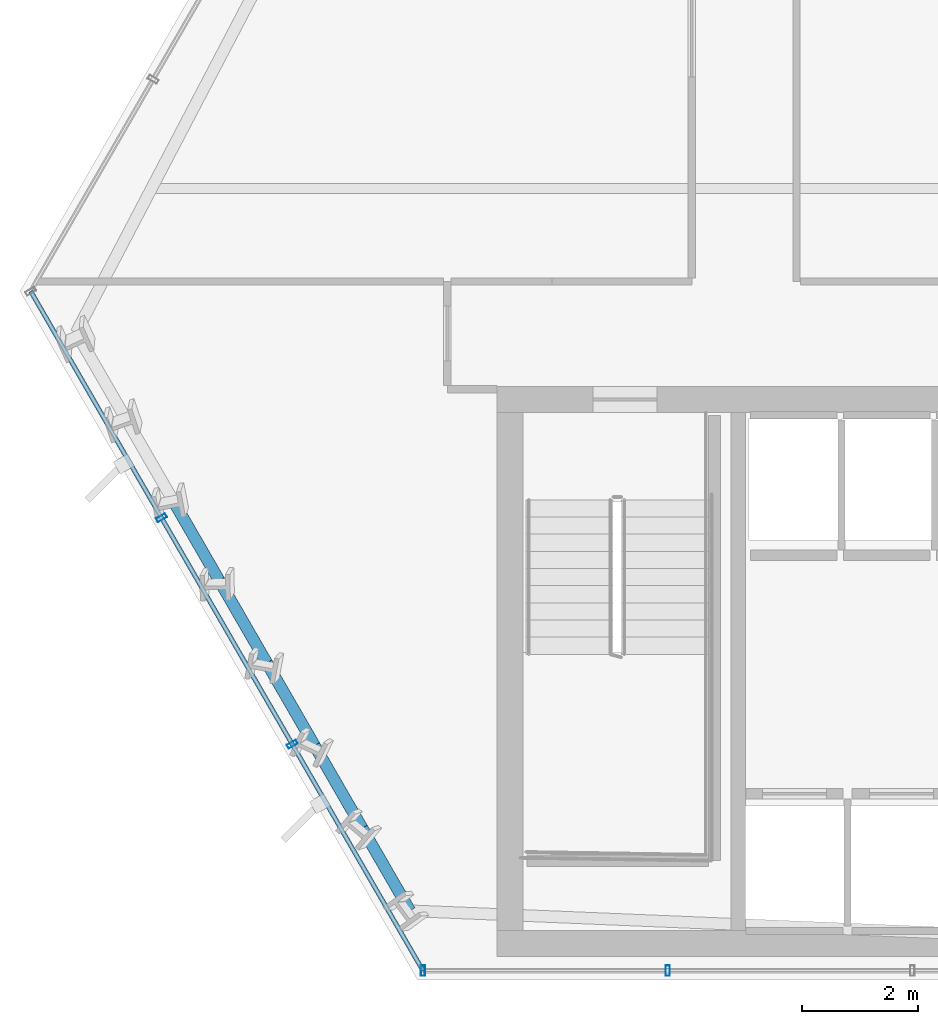
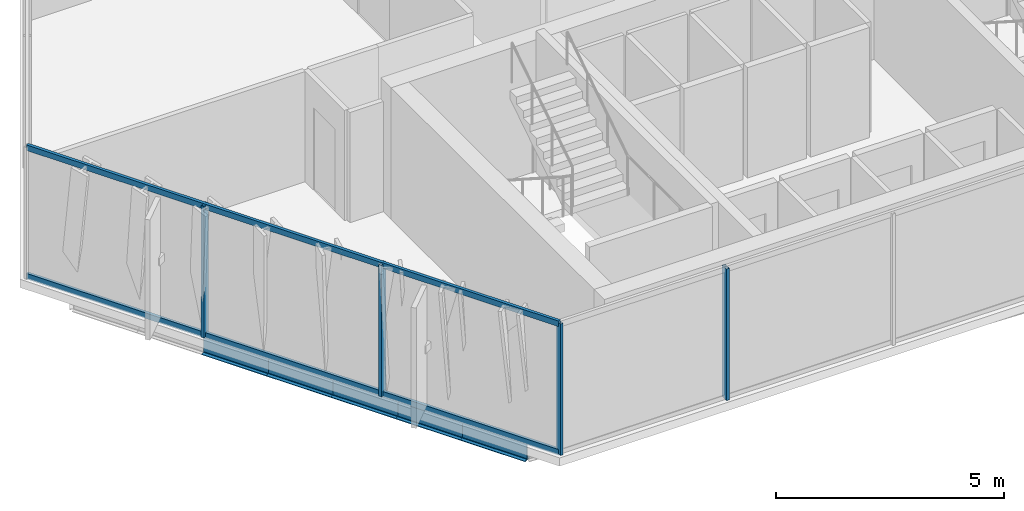
# One storey, part 2 of 31: 6 members, 5 beams, 2 elements without a shape of their own.
"""IFC4 building model written with IfcOpenShell, lengths in metres."""

import ifcopenshell
import ifcopenshell.guid

model = None  # the IFC model being written
_history = None  # IfcOwnerHistory: only IFC2X3 demands one
_inside = {}  # id of a spatial element -> (the spatial element, [elements in it])
_under = {}  # id of a project, library or spatial element -> (it, [spatial elements below it])
_declared = {}  # id of a project -> (the project, [libraries it declares])
_typed = {}  # id of a type object -> (the type object, [elements of that type])
_made_of = {}  # id of a material, layer set ... -> (it, [elements and type objects made of it])


def new_model(schema):
    """Start an empty IFC model of exactly this schema.

    Asked for "IFC4X3", IfcOpenShell would pick the latest addendum, in which some entities
    have other attributes; the version numbers below select the first issue.
    IFC2X3 requires an IfcOwnerHistory on every rooted entity: one is made here for all.
    """
    global model, _history
    if schema == "IFC4X3":
        model = ifcopenshell.file(schema_version=(4, 3, 0, 0))
    else:
        model = ifcopenshell.file(schema=schema)
    _inside.clear()
    _under.clear()
    _declared.clear()
    _typed.clear()
    _made_of.clear()
    _history = None
    if model.schema == "IFC2X3":
        org = make("IfcOrganization", Name="unknown")
        user = make(
            "IfcPersonAndOrganization",
            ThePerson=make("IfcPerson", FamilyName="unknown"),
            TheOrganization=org,
        )
        app = make(
            "IfcApplication",
            ApplicationDeveloper=org,
            Version="unknown",
            ApplicationFullName="unknown",
            ApplicationIdentifier="unknown",
        )
        _history = make(
            "IfcOwnerHistory",
            OwningUser=user,
            OwningApplication=app,
            ChangeAction="ADDED",
            CreationDate=0,
        )
    return model


def make(cls, **values):
    """One entity of the class cls with the attributes given. An attribute that is None is left unset."""
    return model.create_entity(
        cls, **{name: value for name, value in values.items() if value is not None}
    )


def rooted(cls, **values):
    """An entity with a GlobalId (a new one), such as an element, a storey or a relation."""
    return make(cls, GlobalId=ifcopenshell.guid.new(), OwnerHistory=_history, **values)


def si_unit(unit_type, name, prefix=None):
    """IfcSIUnit, for example si_unit("LENGTHUNIT", "METRE", prefix="MILLI")."""
    return make("IfcSIUnit", UnitType=unit_type, Prefix=prefix, Name=name)


def assignment(units):
    """IfcUnitAssignment: the units of a project."""
    return None if units is None else make("IfcUnitAssignment", Units=units)


def point(xyz):
    """IfcCartesianPoint."""
    return None if xyz is None else make("IfcCartesianPoint", Coordinates=xyz)


def direction(xyz):
    """IfcDirection."""
    return None if xyz is None else make("IfcDirection", DirectionRatios=xyz)


def frame(location, z_axis=None, x_axis=None):
    """IfcAxis2Placement3D, a coordinate frame: its origin and axes. An axis left out is left unset."""
    return make(
        "IfcAxis2Placement3D",
        Location=point(location),
        Axis=direction(z_axis),
        RefDirection=direction(x_axis),
    )


def frame_2d(location, x_axis=None):
    """IfcAxis2Placement2D, a coordinate frame in the plane: its origin and x axis."""
    return make(
        "IfcAxis2Placement2D", Location=point(location), RefDirection=direction(x_axis)
    )


def origin():
    """The frame at (0, 0, 0) with its axes left unset."""
    return frame((0.0, 0.0, 0.0))


def origin_2d():
    """The frame at (0, 0) in the plane with its x axis left unset."""
    return frame_2d((0.0, 0.0))


def place(relative_to, where):
    """IfcLocalPlacement: puts the frame where relative to a parent placement (None: the world)."""
    return make(
        "IfcLocalPlacement", PlacementRelTo=relative_to, RelativePlacement=where
    )


def context(
    kind, dimensions, precision=None, world=None, true_north=None, identifier=None
):
    """IfcGeometricRepresentationContext, for example the 3D "Model" context."""
    return make(
        "IfcGeometricRepresentationContext",
        ContextIdentifier=identifier,
        ContextType=kind,
        CoordinateSpaceDimension=dimensions,
        Precision=precision,
        WorldCoordinateSystem=world,
        TrueNorth=true_north,
    )


def subcontext(parent, identifier, kind, view, scale=None):
    """IfcGeometricRepresentationSubContext, for example "Body" below "Model"."""
    return make(
        "IfcGeometricRepresentationSubContext",
        ContextIdentifier=identifier,
        ContextType=kind,
        ParentContext=parent,
        TargetScale=scale,
        TargetView=view,
    )


def project(units=None, contexts=None):
    """IfcProject with its units and contexts."""
    return rooted(
        "IfcProject",
        Name="project",
        RepresentationContexts=contexts,
        UnitsInContext=assignment(units),
    )


def spatial(cls, under=None, at=None, **own):
    """A site, building, storey or space (cls), placed at a placement, below another one or the project."""
    s = rooted(cls, ObjectPlacement=at, **own)
    if under is not None:
        _under.setdefault(under.id(), (under, []))[1].append(s)
    return s


def profile(cls, at=None, kind="AREA", **sizes):
    """A parametric profile (cls). Its sizes go by their IFC names, for example OverallWidth=200.0."""
    return make(cls, ProfileType=kind, Position=at, **sizes)


def hollow_rectangle(**sizes):
    """IfcRectangleHollowProfileDef."""
    return profile("IfcRectangleHollowProfileDef", **sizes)


def i_section(**sizes):
    """IfcIShapeProfileDef."""
    return profile("IfcIShapeProfileDef", **sizes)


def extrude(swept, where, along, depth):
    """IfcExtrudedAreaSolid: the profile swept, set in the frame where, extruded along a direction by depth."""
    return make(
        "IfcExtrudedAreaSolid",
        SweptArea=swept,
        Position=where,
        ExtrudedDirection=direction(along),
        Depth=depth,
    )


def shape(context_of_items, identifier, shape_type, items):
    """IfcShapeRepresentation: the items that make up one representation, for example the "Body"."""
    return make(
        "IfcShapeRepresentation",
        ContextOfItems=context_of_items,
        RepresentationIdentifier=identifier,
        RepresentationType=shape_type,
        Items=items,
    )


def material(Name=None, Category=None):
    """IfcMaterial."""
    return make("IfcMaterial", Name=Name, Category=Category)


def layer(
    of_material, thickness, ventilated=None, Name=None, Category=None, Priority=None
):
    """IfcMaterialLayer: one layer of a wall or slab, of a material (None: an air gap)."""
    return make(
        "IfcMaterialLayer",
        Material=of_material,
        LayerThickness=thickness,
        IsVentilated=ventilated,
        Name=Name,
        Category=Category,
        Priority=Priority,
    )


def layer_set(layers, Name=None):
    """IfcMaterialLayerSet."""
    return make("IfcMaterialLayerSet", MaterialLayers=layers, LayerSetName=Name)


def material_profile(
    of_material, cross_section, Name=None, Category=None, Priority=None
):
    """IfcMaterialProfile: a cross section and its material."""
    return make(
        "IfcMaterialProfile",
        Name=Name,
        Material=of_material,
        Profile=cross_section,
        Priority=Priority,
        Category=Category,
    )


def profile_set(profiles, Name=None, composite=None):
    """IfcMaterialProfileSet."""
    return make(
        "IfcMaterialProfileSet",
        Name=Name,
        MaterialProfiles=profiles,
        CompositeProfile=composite,
    )


def made_of(thing, what):
    """Note that an element or type object is made of a material, layer set ...; save() writes the relation."""
    if what is not None:
        _made_of.setdefault(what.id(), (what, []))[1].append(thing)
    return thing


def type_object(cls, material=None, **own):
    """A type object (cls), such as IfcWallType, which elements share."""
    return made_of(rooted(cls, **own), material)


def element(
    cls,
    number,
    at=None,
    inside=None,
    cuts=None,
    type_object=None,
    material=None,
    context=None,
    identifier="Body",
    shape_type=None,
    held_by="IfcProductDefinitionShape",
    body=None,
    shapes=None,
    **own,
):
    """One element of the class cls, such as IfcWall. Its Tag is "e" and its number.

    at: its placement. inside: the storey or other place that contains it. cuts: it is an
    opening in that element (IfcRelVoidsElement). A single representation is given by context,
    identifier, shape_type and body (its items); several are given by shapes. held_by: the class
    of the entity that holds the representations. save() writes the other relations.
    """
    e = rooted(cls, Tag="e%d" % number, ObjectPlacement=at, **own)
    if body is not None:
        shapes = [shape(context, identifier, shape_type, body)]
    if shapes is not None:
        e.Representation = make(held_by, Representations=shapes)
    if inside is not None:
        _inside.setdefault(inside.id(), (inside, []))[1].append(e)
    if cuts is not None:
        rooted(
            "IfcRelVoidsElement", RelatingBuildingElement=cuts, RelatedOpeningElement=e
        )
    if type_object is not None:
        _typed.setdefault(type_object.id(), (type_object, []))[1].append(e)
    return made_of(e, material)


def aggregate(whole, parts):
    """IfcRelAggregates: a whole, such as a stair, and the parts it consists of."""
    return rooted("IfcRelAggregates", RelatingObject=whole, RelatedObjects=parts)


def save(model, path):
    """Write the relations noted so far, then the file.

    IfcRelAggregates (storeys below a building ...), IfcRelContainedInSpatialStructure (elements
    in a storey), IfcRelDefinesByType, IfcRelAssociatesMaterial and IfcRelDeclares: one each for
    every whole, place, type object, material and project.
    """
    for whole, parts in _under.values():
        aggregate(whole, parts)
    for where, things in _inside.values():
        rooted(
            "IfcRelContainedInSpatialStructure",
            RelatedElements=things,
            RelatingStructure=where,
        )
    for kind, things in _typed.values():
        rooted("IfcRelDefinesByType", RelatedObjects=things, RelatingType=kind)
    for what, things in _made_of.values():
        rooted("IfcRelAssociatesMaterial", RelatedObjects=things, RelatingMaterial=what)
    for by, libraries in _declared.values():
        rooted("IfcRelDeclares", RelatingContext=by, RelatedDefinitions=libraries)
    model.write(path)


model = new_model("IFC4")

# Units and contexts
model_context = context("Model", 3, precision=1e-05, world=origin(), true_north=direction((0.0, 1.0)))
body_context = subcontext(model_context, "Body", "Model", "MODEL_VIEW")
ifc_project = project(units=[si_unit("LENGTHUNIT", "METRE"), si_unit("AREAUNIT", "SQUARE_METRE"), si_unit("VOLUMEUNIT", "CUBIC_METRE"), si_unit("PLANEANGLEUNIT", "RADIAN"), si_unit("MASSUNIT", "GRAM", prefix="KILO")], contexts=[model_context])

# Site, building, storey
site_placement = place(None, origin())
site = spatial("IfcSite", under=ifc_project, at=site_placement, CompositionType="ELEMENT")
building_placement = place(site_placement, origin())
building = spatial("IfcBuilding", under=site, at=building_placement, Name="Ndaravel Arena Tower", CompositionType="ELEMENT")
storey_placement = place(building_placement, frame((0.0, 0.0, 108.199951171875)))
storey = spatial("IfcBuildingStorey", under=building, at=storey_placement, Name="L25", CompositionType="ELEMENT", Elevation=108.199951171875)

# Beams
ifc_material_1 = material(Name="Steel S355", Category="steel")
ifc_material_profile_1 = material_profile(ifc_material_1, i_section(OverallWidth=0.199951171875, OverallDepth=0.5, WebThickness=0.01025390625, FlangeThickness=0.01611328125, FilletRadius=0.02099609375, at=origin_2d()), Name="IPE 500")
ifc_profile_set_1 = profile_set([ifc_material_profile_1], Name="Steel S355")
beam_type = type_object("IfcBeamType", Name="BM-SPAN-IPE500", PredefinedType="SPANDREL", material=ifc_profile_set_1)
beam_1_placement = place(storey_placement, frame((20.860595703125, 13.284912109375, -0.469970703125), z_axis=(0.499937439699, -0.866061519979, 0.0), x_axis=(0.866061519979, 0.499937439699, 0.0)))
element("IfcBeam", 1, at=beam_1_placement, inside=storey, type_object=beam_type, Name="L25 Perimeter Spandrel Beam SP-22", PredefinedType="SPANDREL", context=body_context, shape_type="SweptSolid", body=[
    extrude(i_section(OverallWidth=0.199951171875, OverallDepth=0.5, WebThickness=0.01025390625, FlangeThickness=0.01611328125, FilletRadius=0.02099609375, at=origin_2d()), origin(), (0.0, 0.0, 1.0), 1.638427734375),
])
beam_2_placement = place(storey_placement, frame((21.6796875, 11.865966796875, -0.469970703125), z_axis=(0.499984679161, -0.866034249094, 0.0), x_axis=(0.866034249094, 0.499984679161, 0.0)))
element("IfcBeam", 2, at=beam_2_placement, inside=storey, type_object=beam_type, Name="L25 Perimeter Spandrel Beam SP-23", PredefinedType="SPANDREL", context=body_context, shape_type="SweptSolid", body=[
    extrude(i_section(OverallWidth=0.199951171875, OverallDepth=0.5, WebThickness=0.01025390625, FlangeThickness=0.01611328125, FilletRadius=0.02099609375, at=origin_2d()), origin(), (0.0, 0.0, 1.0), 1.638671875),
])
beam_3_placement = place(storey_placement, frame((22.4990234375, 10.44677734375, -0.469970703125), z_axis=(0.500049196018, -0.865996998587, 0.0), x_axis=(0.865996998587, 0.500049196018, 0.0)))
element("IfcBeam", 3, at=beam_3_placement, inside=storey, type_object=beam_type, Name="L25 Perimeter Spandrel Beam SP-24", PredefinedType="SPANDREL", context=body_context, shape_type="SweptSolid", body=[
    extrude(i_section(OverallWidth=0.199951171875, OverallDepth=0.5, WebThickness=0.01025390625, FlangeThickness=0.01611328125, FilletRadius=0.02099609375, at=origin_2d()), origin(), (0.0, 0.0, 1.0), 1.638427734375),
])
beam_4_placement = place(storey_placement, frame((23.318359375, 9.02783203125, -0.469970703125), z_axis=(0.499984679161, -0.866034249094, 0.0), x_axis=(0.866034249094, 0.499984679161, 0.0)))
element("IfcBeam", 4, at=beam_4_placement, inside=storey, type_object=beam_type, Name="L25 Perimeter Spandrel Beam SP-25", PredefinedType="SPANDREL", context=body_context, shape_type="SweptSolid", body=[
    extrude(i_section(OverallWidth=0.199951171875, OverallDepth=0.5, WebThickness=0.01025390625, FlangeThickness=0.01611328125, FilletRadius=0.02099609375, at=origin_2d()), origin(), (0.0, 0.0, 1.0), 1.638671875),
])
beam_5_placement = place(storey_placement, frame((24.1376953125, 7.608642578125, -0.469970703125), z_axis=(0.500049196018, -0.865996998587, 0.0), x_axis=(0.865996998587, 0.500049196018, 0.0)))
element("IfcBeam", 5, at=beam_5_placement, inside=storey, type_object=beam_type, Name="L25 Perimeter Spandrel Beam SP-26", PredefinedType="SPANDREL", context=body_context, shape_type="SweptSolid", body=[
    extrude(i_section(OverallWidth=0.199951171875, OverallDepth=0.5, WebThickness=0.01025390625, FlangeThickness=0.01611328125, FilletRadius=0.02099609375, at=origin_2d()), origin(), (0.0, 0.0, 1.0), 1.638427734375),
])

# Curtain wall, members
ifc_material_2 = material(Name="Aluminium", Category="aluminium")
ifc_layer_1 = layer(ifc_material_2, 0.179931640625)
ifc_layer_set_1 = layer_set([ifc_layer_1], Name="Aluminium")
curtain_wall_type_1 = type_object("IfcCurtainWallType", Name="CW-SYS-03", PredefinedType="NOTDEFINED", material=ifc_layer_set_1)
curtain_wall_1_placement = place(storey_placement, origin())
curtain_wall_1 = element("IfcCurtainWall", 6, at=curtain_wall_1_placement, inside=storey, type_object=curtain_wall_type_1, Name="L25 Faceted Crystal Curtain Wall CW-L25-E01", PredefinedType="NOTDEFINED")
ifc_material_3 = material(Name="Aluminium", Category="aluminium")
ifc_material_profile_2 = material_profile(ifc_material_3, hollow_rectangle(XDim=0.074951171875, YDim=0.179931640625, WallThickness=0.00390625, at=origin_2d()), Name="CW MULLION 75x180x4")
ifc_profile_set_2 = profile_set([ifc_material_profile_2], Name="Aluminium")
member_type_1 = type_object("IfcMemberType", Name="MEM-CW-MUL180", PredefinedType="MULLION", material=ifc_profile_set_2)
member_1_placement = place(storey_placement, frame((25.181884765625, 5.159912109375, 0.0), z_axis=(0.0, 0.0, 1.0), x_axis=(1.0, 0.0, 0.0)))
member_1 = element("IfcMember", 7, at=member_1_placement, type_object=member_type_1, Name="CW-L25-E01 Mullion 00", PredefinedType="MULLION", context=body_context, shape_type="SweptSolid", body=[
    extrude(hollow_rectangle(XDim=0.074951171875, YDim=0.179931640625, WallThickness=0.00390625, at=origin_2d()), origin(), (0.0, 0.0, 1.0), 3.52001953125),
])
member_2_placement = place(storey_placement, frame((29.386474609375, 5.159912109375, 0.0), z_axis=(0.0, 0.0, 1.0), x_axis=(1.0, 0.0, 0.0)))
member_2 = element("IfcMember", 8, at=member_2_placement, type_object=member_type_1, Name="CW-L25-E01 Mullion 01", PredefinedType="MULLION", context=body_context, shape_type="SweptSolid", body=[
    extrude(hollow_rectangle(XDim=0.074951171875, YDim=0.179931640625, WallThickness=0.00390625, at=origin_2d()), origin(), (0.0, 0.0, 1.0), 3.52001953125),
])
aggregate(curtain_wall_1, [member_1, member_2])

ifc_material_4 = material(Name="Aluminium", Category="aluminium")
ifc_layer_2 = layer(ifc_material_4, 0.179931640625)
ifc_layer_set_2 = layer_set([ifc_layer_2], Name="Aluminium")
curtain_wall_type_2 = type_object("IfcCurtainWallType", Name="CW-SYS-02", PredefinedType="NOTDEFINED", material=ifc_layer_set_2)
curtain_wall_2_placement = place(storey_placement, origin())
curtain_wall_2 = element("IfcCurtainWall", 9, at=curtain_wall_2_placement, inside=storey, type_object=curtain_wall_type_2, Name="L25 Faceted Crystal Curtain Wall CW-L25-E06", PredefinedType="NOTDEFINED")
member_3_placement = place(storey_placement, frame((20.689208984375, 12.94189453125, 0.0), z_axis=(0.0, 0.0, 1.0), x_axis=(0.5, -0.866025403784, 0.0)))
member_3 = element("IfcMember", 10, at=member_3_placement, type_object=member_type_1, Name="CW-L25-E06 Mullion 01", PredefinedType="MULLION", context=body_context, shape_type="SweptSolid", body=[
    extrude(hollow_rectangle(XDim=0.074951171875, YDim=0.179931640625, WallThickness=0.00390625, at=origin_2d()), origin(), (0.0, 0.0, 1.0), 3.52001953125),
])
member_4_placement = place(storey_placement, frame((22.935546875, 9.05078125, 0.0), z_axis=(0.0, 0.0, 1.0), x_axis=(0.5, -0.866025403784, 0.0)))
member_4 = element("IfcMember", 11, at=member_4_placement, type_object=member_type_1, Name="CW-L25-E06 Mullion 02", PredefinedType="MULLION", context=body_context, shape_type="SweptSolid", body=[
    extrude(hollow_rectangle(XDim=0.074951171875, YDim=0.179931640625, WallThickness=0.00390625, at=origin_2d()), origin(), (0.0, 0.0, 1.0), 3.52001953125),
])
ifc_material_5 = material(Name="Aluminium", Category="aluminium")
ifc_material_profile_3 = material_profile(ifc_material_5, hollow_rectangle(XDim=0.074951171875, YDim=0.14990234375, WallThickness=0.00390625, at=origin_2d()), Name="CW TRANSOM 75x150x4")
ifc_profile_set_3 = profile_set([ifc_material_profile_3], Name="Aluminium")
member_type_2 = type_object("IfcMemberType", Name="MEM-CW-TRN150", PredefinedType="USERDEFINED", material=ifc_profile_set_3)
member_5_placement = place(storey_placement, frame((18.442626953125, 16.832763671875, 0.0400390625), z_axis=(0.499996317533, -0.866027529847, 0.0), x_axis=(0.866027529847, 0.499996317533, 0.0)))
member_5 = element("IfcMember", 12, at=member_5_placement, type_object=member_type_2, Name="CW-L25-E06 Transom 01", ObjectType="TRANSOM", PredefinedType="USERDEFINED", context=body_context, shape_type="SweptSolid", body=[
    extrude(hollow_rectangle(XDim=0.074951171875, YDim=0.14990234375, WallThickness=0.00390625, at=origin_2d()), origin(), (0.0, 0.0, 1.0), 13.478515625),
])
member_6_placement = place(storey_placement, frame((18.442626953125, 16.832763671875, 3.47998046875), z_axis=(0.499996317533, -0.866027529847, 0.0), x_axis=(0.866027529847, 0.499996317533, 0.0)))
member_6 = element("IfcMember", 13, at=member_6_placement, type_object=member_type_2, Name="CW-L25-E06 Transom 02", ObjectType="TRANSOM", PredefinedType="USERDEFINED", context=body_context, shape_type="SweptSolid", body=[
    extrude(hollow_rectangle(XDim=0.074951171875, YDim=0.14990234375, WallThickness=0.00390625, at=origin_2d()), origin(), (0.0, 0.0, 1.0), 13.478515625),
])
aggregate(curtain_wall_2, [member_3, member_4, member_5, member_6])

save(model, "model.ifc")
